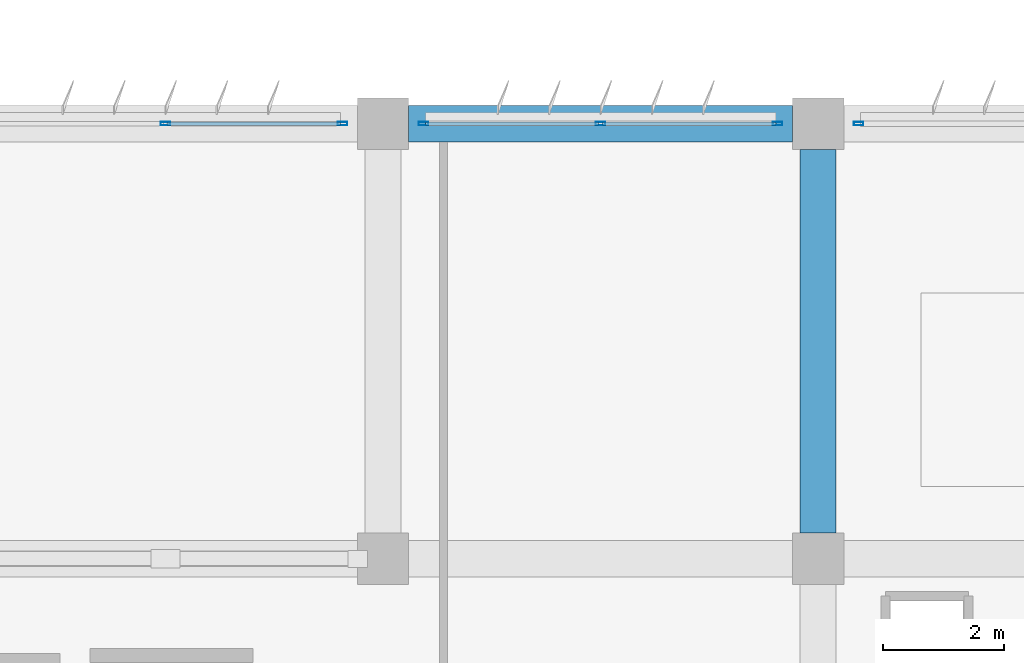
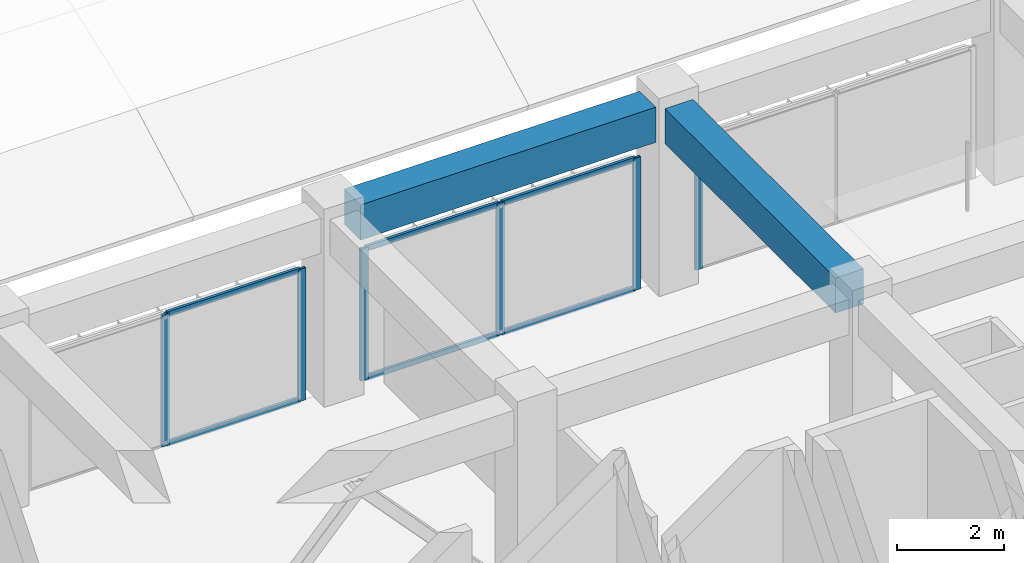
# One storey, part 14 of 56: 12 members, 2 beams, 3 elements without a shape of their own.
"""IFC4 building model written with IfcOpenShell, lengths in metres."""

import ifcopenshell
import ifcopenshell.guid

model = None  # the IFC model being written
_history = None  # IfcOwnerHistory: only IFC2X3 demands one
_inside = {}  # id of a spatial element -> (the spatial element, [elements in it])
_under = {}  # id of a project, library or spatial element -> (it, [spatial elements below it])
_declared = {}  # id of a project -> (the project, [libraries it declares])
_typed = {}  # id of a type object -> (the type object, [elements of that type])
_made_of = {}  # id of a material, layer set ... -> (it, [elements and type objects made of it])


def new_model(schema):
    """Start an empty IFC model of exactly this schema.

    Asked for "IFC4X3", IfcOpenShell would pick the latest addendum, in which some entities
    have other attributes; the version numbers below select the first issue.
    IFC2X3 requires an IfcOwnerHistory on every rooted entity: one is made here for all.
    """
    global model, _history
    if schema == "IFC4X3":
        model = ifcopenshell.file(schema_version=(4, 3, 0, 0))
    else:
        model = ifcopenshell.file(schema=schema)
    _inside.clear()
    _under.clear()
    _declared.clear()
    _typed.clear()
    _made_of.clear()
    _history = None
    if model.schema == "IFC2X3":
        org = make("IfcOrganization", Name="unknown")
        user = make(
            "IfcPersonAndOrganization",
            ThePerson=make("IfcPerson", FamilyName="unknown"),
            TheOrganization=org,
        )
        app = make(
            "IfcApplication",
            ApplicationDeveloper=org,
            Version="unknown",
            ApplicationFullName="unknown",
            ApplicationIdentifier="unknown",
        )
        _history = make(
            "IfcOwnerHistory",
            OwningUser=user,
            OwningApplication=app,
            ChangeAction="ADDED",
            CreationDate=0,
        )
    return model


def make(cls, **values):
    """One entity of the class cls with the attributes given. An attribute that is None is left unset."""
    return model.create_entity(
        cls, **{name: value for name, value in values.items() if value is not None}
    )


def rooted(cls, **values):
    """An entity with a GlobalId (a new one), such as an element, a storey or a relation."""
    return make(cls, GlobalId=ifcopenshell.guid.new(), OwnerHistory=_history, **values)


def si_unit(unit_type, name, prefix=None):
    """IfcSIUnit, for example si_unit("LENGTHUNIT", "METRE", prefix="MILLI")."""
    return make("IfcSIUnit", UnitType=unit_type, Prefix=prefix, Name=name)


def assignment(units):
    """IfcUnitAssignment: the units of a project."""
    return None if units is None else make("IfcUnitAssignment", Units=units)


def point(xyz):
    """IfcCartesianPoint."""
    return None if xyz is None else make("IfcCartesianPoint", Coordinates=xyz)


def direction(xyz):
    """IfcDirection."""
    return None if xyz is None else make("IfcDirection", DirectionRatios=xyz)


def frame(location, z_axis=None, x_axis=None):
    """IfcAxis2Placement3D, a coordinate frame: its origin and axes. An axis left out is left unset."""
    return make(
        "IfcAxis2Placement3D",
        Location=point(location),
        Axis=direction(z_axis),
        RefDirection=direction(x_axis),
    )


def frame_2d(location, x_axis=None):
    """IfcAxis2Placement2D, a coordinate frame in the plane: its origin and x axis."""
    return make(
        "IfcAxis2Placement2D", Location=point(location), RefDirection=direction(x_axis)
    )


def origin():
    """The frame at (0, 0, 0) with its axes left unset."""
    return frame((0.0, 0.0, 0.0))


def origin_2d():
    """The frame at (0, 0) in the plane with its x axis left unset."""
    return frame_2d((0.0, 0.0))


def place(relative_to, where):
    """IfcLocalPlacement: puts the frame where relative to a parent placement (None: the world)."""
    return make(
        "IfcLocalPlacement", PlacementRelTo=relative_to, RelativePlacement=where
    )


def context(
    kind, dimensions, precision=None, world=None, true_north=None, identifier=None
):
    """IfcGeometricRepresentationContext, for example the 3D "Model" context."""
    return make(
        "IfcGeometricRepresentationContext",
        ContextIdentifier=identifier,
        ContextType=kind,
        CoordinateSpaceDimension=dimensions,
        Precision=precision,
        WorldCoordinateSystem=world,
        TrueNorth=true_north,
    )


def subcontext(parent, identifier, kind, view, scale=None):
    """IfcGeometricRepresentationSubContext, for example "Body" below "Model"."""
    return make(
        "IfcGeometricRepresentationSubContext",
        ContextIdentifier=identifier,
        ContextType=kind,
        ParentContext=parent,
        TargetScale=scale,
        TargetView=view,
    )


def project(units=None, contexts=None):
    """IfcProject with its units and contexts."""
    return rooted(
        "IfcProject",
        Name="project",
        RepresentationContexts=contexts,
        UnitsInContext=assignment(units),
    )


def spatial(cls, under=None, at=None, **own):
    """A site, building, storey or space (cls), placed at a placement, below another one or the project."""
    s = rooted(cls, ObjectPlacement=at, **own)
    if under is not None:
        _under.setdefault(under.id(), (under, []))[1].append(s)
    return s


def profile(cls, at=None, kind="AREA", **sizes):
    """A parametric profile (cls). Its sizes go by their IFC names, for example OverallWidth=200.0."""
    return make(cls, ProfileType=kind, Position=at, **sizes)


def rectangle(**sizes):
    """IfcRectangleProfileDef."""
    return profile("IfcRectangleProfileDef", **sizes)


def hollow_rectangle(**sizes):
    """IfcRectangleHollowProfileDef."""
    return profile("IfcRectangleHollowProfileDef", **sizes)


def extrude(swept, where, along, depth):
    """IfcExtrudedAreaSolid: the profile swept, set in the frame where, extruded along a direction by depth."""
    return make(
        "IfcExtrudedAreaSolid",
        SweptArea=swept,
        Position=where,
        ExtrudedDirection=direction(along),
        Depth=depth,
    )


def shape(context_of_items, identifier, shape_type, items):
    """IfcShapeRepresentation: the items that make up one representation, for example the "Body"."""
    return make(
        "IfcShapeRepresentation",
        ContextOfItems=context_of_items,
        RepresentationIdentifier=identifier,
        RepresentationType=shape_type,
        Items=items,
    )


def material(Name=None, Category=None):
    """IfcMaterial."""
    return make("IfcMaterial", Name=Name, Category=Category)


def material_profile(
    of_material, cross_section, Name=None, Category=None, Priority=None
):
    """IfcMaterialProfile: a cross section and its material."""
    return make(
        "IfcMaterialProfile",
        Name=Name,
        Material=of_material,
        Profile=cross_section,
        Priority=Priority,
        Category=Category,
    )


def profile_set(profiles, Name=None, composite=None):
    """IfcMaterialProfileSet."""
    return make(
        "IfcMaterialProfileSet",
        Name=Name,
        MaterialProfiles=profiles,
        CompositeProfile=composite,
    )


def made_of(thing, what):
    """Note that an element or type object is made of a material, layer set ...; save() writes the relation."""
    if what is not None:
        _made_of.setdefault(what.id(), (what, []))[1].append(thing)
    return thing


def type_object(cls, material=None, **own):
    """A type object (cls), such as IfcWallType, which elements share."""
    return made_of(rooted(cls, **own), material)


def element(
    cls,
    number,
    at=None,
    inside=None,
    cuts=None,
    type_object=None,
    material=None,
    context=None,
    identifier="Body",
    shape_type=None,
    held_by="IfcProductDefinitionShape",
    body=None,
    shapes=None,
    **own,
):
    """One element of the class cls, such as IfcWall. Its Tag is "e" and its number.

    at: its placement. inside: the storey or other place that contains it. cuts: it is an
    opening in that element (IfcRelVoidsElement). A single representation is given by context,
    identifier, shape_type and body (its items); several are given by shapes. held_by: the class
    of the entity that holds the representations. save() writes the other relations.
    """
    e = rooted(cls, Tag="e%d" % number, ObjectPlacement=at, **own)
    if body is not None:
        shapes = [shape(context, identifier, shape_type, body)]
    if shapes is not None:
        e.Representation = make(held_by, Representations=shapes)
    if inside is not None:
        _inside.setdefault(inside.id(), (inside, []))[1].append(e)
    if cuts is not None:
        rooted(
            "IfcRelVoidsElement", RelatingBuildingElement=cuts, RelatedOpeningElement=e
        )
    if type_object is not None:
        _typed.setdefault(type_object.id(), (type_object, []))[1].append(e)
    return made_of(e, material)


def aggregate(whole, parts):
    """IfcRelAggregates: a whole, such as a stair, and the parts it consists of."""
    return rooted("IfcRelAggregates", RelatingObject=whole, RelatedObjects=parts)


def save(model, path):
    """Write the relations noted so far, then the file.

    IfcRelAggregates (storeys below a building ...), IfcRelContainedInSpatialStructure (elements
    in a storey), IfcRelDefinesByType, IfcRelAssociatesMaterial and IfcRelDeclares: one each for
    every whole, place, type object, material and project.
    """
    for whole, parts in _under.values():
        aggregate(whole, parts)
    for where, things in _inside.values():
        rooted(
            "IfcRelContainedInSpatialStructure",
            RelatedElements=things,
            RelatingStructure=where,
        )
    for kind, things in _typed.values():
        rooted("IfcRelDefinesByType", RelatedObjects=things, RelatingType=kind)
    for what, things in _made_of.values():
        rooted("IfcRelAssociatesMaterial", RelatedObjects=things, RelatingMaterial=what)
    for by, libraries in _declared.values():
        rooted("IfcRelDeclares", RelatingContext=by, RelatedDefinitions=libraries)
    model.write(path)


model = new_model("IFC4")

# Units and contexts
model_context = context("Model", 3, precision=1e-05, world=origin(), true_north=direction((0.0, 1.0)))
body_context = subcontext(model_context, "Body", "Model", "MODEL_VIEW")
ifc_project = project(units=[si_unit("LENGTHUNIT", "METRE"), si_unit("AREAUNIT", "SQUARE_METRE"), si_unit("VOLUMEUNIT", "CUBIC_METRE"), si_unit("PLANEANGLEUNIT", "RADIAN"), si_unit("MASSUNIT", "GRAM", prefix="KILO")], contexts=[model_context])

# Site, building, storey
site_placement = place(None, origin())
site = spatial("IfcSite", under=ifc_project, at=site_placement, CompositionType="ELEMENT")
building_placement = place(site_placement, origin())
building = spatial("IfcBuilding", under=site, at=building_placement, Name="Kazehaya Institute of Natural Sciences", CompositionType="ELEMENT")
storey_placement = place(building_placement, frame((0.0, 0.0, 24.300048828125)))
storey = spatial("IfcBuildingStorey", under=building, at=storey_placement, Name="L05", CompositionType="ELEMENT", Elevation=24.300048828125)

# Beams
ifc_material_1 = material(Name="Concrete Fc36", Category="concrete")
ifc_material_profile_1 = material_profile(ifc_material_1, rectangle(XDim=0.60009765625, YDim=0.800048828125, at=origin_2d()), Name="RC-600x800")
ifc_profile_set_1 = profile_set([ifc_material_profile_1], Name="Concrete Fc36")
beam_type = type_object("IfcBeamType", Name="BM-G-600x800", PredefinedType="BEAM", material=ifc_profile_set_1)
for number, where, z_axis, x_axis, name in (
    (1, (76.625, 35.60009765625, 3.829833984375), (1.0, 0.0, 0.0), (0.0, 1.0, 0.0), "L05 primary X girder BMX-L05-762-356"),
    (2, (83.39990234375, 28.824951171875, 3.829833984375), (0.0, 1.0, 0.0), (-1.0, 0.0, 0.0), "L05 primary Y girder BMY-L05-834-284"),
):
    element("IfcBeam", number, at=place(storey_placement, frame(where, z_axis=z_axis, x_axis=x_axis)), inside=storey, type_object=beam_type, Name=name, PredefinedType="BEAM", context=body_context, shape_type="SweptSolid", body=[
        extrude(rectangle(XDim=0.60009765625, YDim=0.800048828125, at=origin_2d()), origin(), (0.0, 0.0, 1.0), 6.35009765625),
    ])

# Curtain wall, members
ifc_material_2 = material(Name="Aluminium alloy A6063S-T5", Category="aluminium")
curtain_wall_type = type_object("IfcCurtainWallType", Name="CW-SYS-04", PredefinedType="NOTDEFINED", material=ifc_material_2)
curtain_wall_1_placement = place(storey_placement, origin())
curtain_wall_1 = element("IfcCurtainWall", 3, at=curtain_wall_1_placement, inside=storey, type_object=curtain_wall_type, Name="L05 unitised curtain wall CW-L05-105", PredefinedType="NOTDEFINED")
ifc_material_profile_2 = material_profile(ifc_material_2, hollow_rectangle(XDim=0.06005859375, YDim=0.159912109375, WallThickness=0.00390625, at=origin_2d()), Name="ALU-60x160x4")
ifc_profile_set_2 = profile_set([ifc_material_profile_2], Name="Aluminium alloy A6063S-T5")
member_type_1 = type_object("IfcMemberType", Name="CWM-160", PredefinedType="MULLION", material=ifc_profile_set_2)
member_1_placement = place(storey_placement, frame((72.60009765625, 35.60009765625, 0.0), z_axis=(0.0, 0.0, 1.0), x_axis=(0.0, 1.0, 0.0)))
member_1 = element("IfcMember", 4, at=member_1_placement, type_object=member_type_1, Name="CW04 mullion 2", PredefinedType="MULLION", context=body_context, shape_type="SweptSolid", body=[
    extrude(hollow_rectangle(XDim=0.06005859375, YDim=0.159912109375, WallThickness=0.00390625, at=origin_2d()), origin(), (0.0, 0.0, 1.0), 3.0),
])
member_2_placement = place(storey_placement, frame((75.530029296875, 35.60009765625, 0.0), z_axis=(0.0, 0.0, 1.0), x_axis=(0.0, 1.0, 0.0)))
member_2 = element("IfcMember", 5, at=member_2_placement, type_object=member_type_1, Name="CW04 mullion 3", PredefinedType="MULLION", context=body_context, shape_type="SweptSolid", body=[
    extrude(hollow_rectangle(XDim=0.06005859375, YDim=0.159912109375, WallThickness=0.00390625, at=origin_2d()), origin(), (0.0, 0.0, 1.0), 3.0),
])

curtain_wall_2_placement = place(storey_placement, origin())
curtain_wall_2 = element("IfcCurtainWall", 6, at=curtain_wall_2_placement, inside=storey, type_object=curtain_wall_type, Name="L05 unitised curtain wall CW-L05-106", PredefinedType="NOTDEFINED")
member_3_placement = place(storey_placement, frame((76.8701171875, 35.60009765625, 0.0), z_axis=(0.0, 0.0, 1.0), x_axis=(0.0, 1.0, 0.0)))
member_3 = element("IfcMember", 7, at=member_3_placement, type_object=member_type_1, Name="CW04 mullion 1", PredefinedType="MULLION", context=body_context, shape_type="SweptSolid", body=[
    extrude(hollow_rectangle(XDim=0.06005859375, YDim=0.159912109375, WallThickness=0.00390625, at=origin_2d()), origin(), (0.0, 0.0, 1.0), 3.0),
])
member_4_placement = place(storey_placement, frame((79.800048828125, 35.60009765625, 0.0), z_axis=(0.0, 0.0, 1.0), x_axis=(0.0, 1.0, 0.0)))
member_4 = element("IfcMember", 8, at=member_4_placement, type_object=member_type_1, Name="CW04 mullion 2", PredefinedType="MULLION", context=body_context, shape_type="SweptSolid", body=[
    extrude(hollow_rectangle(XDim=0.06005859375, YDim=0.159912109375, WallThickness=0.00390625, at=origin_2d()), origin(), (0.0, 0.0, 1.0), 3.0),
])
member_5_placement = place(storey_placement, frame((82.72998046875, 35.60009765625, 0.0), z_axis=(0.0, 0.0, 1.0), x_axis=(0.0, 1.0, 0.0)))
member_5 = element("IfcMember", 9, at=member_5_placement, type_object=member_type_1, Name="CW04 mullion 3", PredefinedType="MULLION", context=body_context, shape_type="SweptSolid", body=[
    extrude(hollow_rectangle(XDim=0.06005859375, YDim=0.159912109375, WallThickness=0.00390625, at=origin_2d()), origin(), (0.0, 0.0, 1.0), 3.0),
])

# Curtain wall, member
curtain_wall_3_placement = place(storey_placement, origin())
curtain_wall_3 = element("IfcCurtainWall", 10, at=curtain_wall_3_placement, inside=storey, type_object=curtain_wall_type, Name="L05 unitised curtain wall CW-L05-107", PredefinedType="NOTDEFINED")
member_6_placement = place(storey_placement, frame((84.070068359375, 35.60009765625, 0.0), z_axis=(0.0, 0.0, 1.0), x_axis=(0.0, 1.0, 0.0)))
member_6 = element("IfcMember", 11, at=member_6_placement, type_object=member_type_1, Name="CW04 mullion 1", PredefinedType="MULLION", context=body_context, shape_type="SweptSolid", body=[
    extrude(hollow_rectangle(XDim=0.06005859375, YDim=0.159912109375, WallThickness=0.00390625, at=origin_2d()), origin(), (0.0, 0.0, 1.0), 3.0),
])
aggregate(curtain_wall_3, [member_6])

# Member
ifc_material_profile_3 = material_profile(ifc_material_2, hollow_rectangle(XDim=0.06005859375, YDim=0.1201171875, WallThickness=0.00341796875, at=origin_2d()), Name="ALU-60x120x3.5")
ifc_profile_set_3 = profile_set([ifc_material_profile_3], Name="Aluminium alloy A6063S-T5")
member_type_2 = type_object("IfcMemberType", Name="CWT-120", PredefinedType="USERDEFINED", material=ifc_profile_set_3)
member_7_placement = place(storey_placement, frame((72.6298828125, 35.60009765625, 0.030029296875), z_axis=(1.0, 0.0, 0.0), x_axis=(0.0, 1.0, 0.0)))
member_7 = element("IfcMember", 12, at=member_7_placement, type_object=member_type_2, Name="CW04 transom 2.1", ObjectType="TRANSOM", PredefinedType="USERDEFINED", context=body_context, shape_type="SweptSolid", body=[
    extrude(hollow_rectangle(XDim=0.06005859375, YDim=0.1201171875, WallThickness=0.00341796875, at=origin_2d()), origin(), (0.0, 0.0, 1.0), 2.8701171875),
])

member_8_placement = place(storey_placement, frame((72.6298828125, 35.60009765625, 2.969970703125), z_axis=(1.0, 0.0, 0.0), x_axis=(0.0, 1.0, 0.0)))
member_8 = element("IfcMember", 13, at=member_8_placement, type_object=member_type_2, Name="CW04 transom 2.2", ObjectType="TRANSOM", PredefinedType="USERDEFINED", context=body_context, shape_type="SweptSolid", body=[
    extrude(hollow_rectangle(XDim=0.06005859375, YDim=0.1201171875, WallThickness=0.00341796875, at=origin_2d()), origin(), (0.0, 0.0, 1.0), 2.8701171875),
])

aggregate(curtain_wall_1, [member_1, member_2, member_7, member_8])

member_9_placement = place(storey_placement, frame((76.89990234375, 35.60009765625, 0.030029296875), z_axis=(1.0, 0.0, 0.0), x_axis=(0.0, 1.0, 0.0)))
member_9 = element("IfcMember", 14, at=member_9_placement, type_object=member_type_2, Name="CW04 transom 1.1", ObjectType="TRANSOM", PredefinedType="USERDEFINED", context=body_context, shape_type="SweptSolid", body=[
    extrude(hollow_rectangle(XDim=0.06005859375, YDim=0.1201171875, WallThickness=0.00341796875, at=origin_2d()), origin(), (0.0, 0.0, 1.0), 2.8701171875),
])

member_10_placement = place(storey_placement, frame((76.89990234375, 35.60009765625, 2.969970703125), z_axis=(1.0, 0.0, 0.0), x_axis=(0.0, 1.0, 0.0)))
member_10 = element("IfcMember", 15, at=member_10_placement, type_object=member_type_2, Name="CW04 transom 1.2", ObjectType="TRANSOM", PredefinedType="USERDEFINED", context=body_context, shape_type="SweptSolid", body=[
    extrude(hollow_rectangle(XDim=0.06005859375, YDim=0.1201171875, WallThickness=0.00341796875, at=origin_2d()), origin(), (0.0, 0.0, 1.0), 2.8701171875),
])

member_11_placement = place(storey_placement, frame((79.830078125, 35.60009765625, 0.030029296875), z_axis=(1.0, 0.0, 0.0), x_axis=(0.0, 1.0, 0.0)))
member_11 = element("IfcMember", 16, at=member_11_placement, type_object=member_type_2, Name="CW04 transom 2.1", ObjectType="TRANSOM", PredefinedType="USERDEFINED", context=body_context, shape_type="SweptSolid", body=[
    extrude(hollow_rectangle(XDim=0.06005859375, YDim=0.1201171875, WallThickness=0.00341796875, at=origin_2d()), origin(), (0.0, 0.0, 1.0), 2.869873046875),
])

member_12_placement = place(storey_placement, frame((79.830078125, 35.60009765625, 2.969970703125), z_axis=(1.0, 0.0, 0.0), x_axis=(0.0, 1.0, 0.0)))
member_12 = element("IfcMember", 17, at=member_12_placement, type_object=member_type_2, Name="CW04 transom 2.2", ObjectType="TRANSOM", PredefinedType="USERDEFINED", context=body_context, shape_type="SweptSolid", body=[
    extrude(hollow_rectangle(XDim=0.06005859375, YDim=0.1201171875, WallThickness=0.00341796875, at=origin_2d()), origin(), (0.0, 0.0, 1.0), 2.869873046875),
])

aggregate(curtain_wall_2, [member_3, member_4, member_5, member_9, member_10, member_11, member_12])

save(model, "model.ifc")
